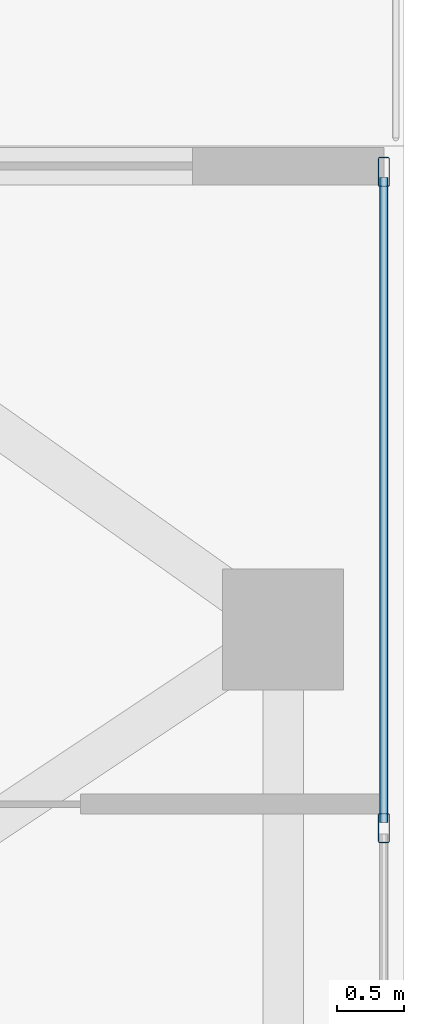
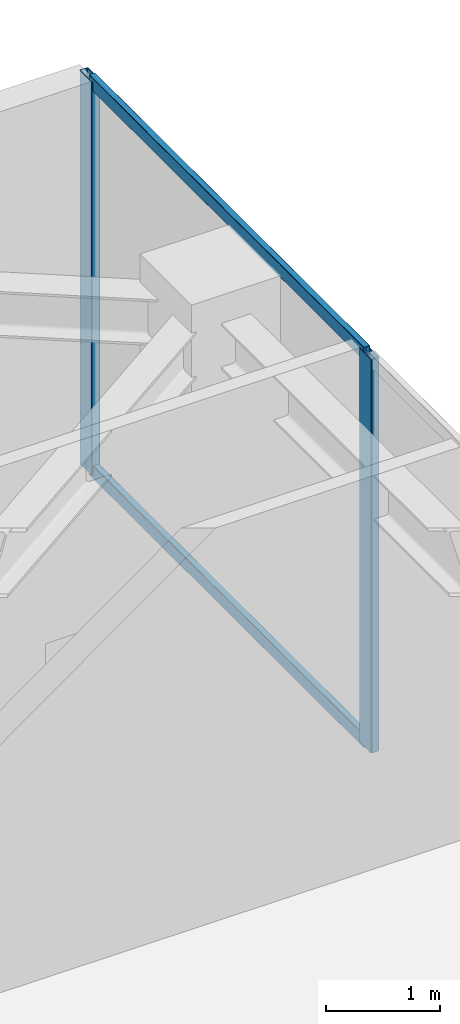
# One storey, part 21 of 33: 4 members, 1 element without a shape of its own.
"""IFC4 building model written with IfcOpenShell, lengths in metres."""

from ifc_helpers import new_model, si_unit, direction, frame, origin, origin_2d, place, context, subcontext, project, spatial, hollow_rectangle, extrude, material, layer, layer_set, material_profile, profile_set, type_object, element, aggregate, save


model = new_model("IFC4")

# Units and contexts
model_context = context("Model", 3, precision=1e-05, world=origin(), true_north=direction((0.0, 1.0)))
body_context = subcontext(model_context, "Body", "Model", "MODEL_VIEW")
ifc_project = project(units=[si_unit("LENGTHUNIT", "METRE"), si_unit("AREAUNIT", "SQUARE_METRE"), si_unit("VOLUMEUNIT", "CUBIC_METRE"), si_unit("PLANEANGLEUNIT", "RADIAN"), si_unit("MASSUNIT", "GRAM", prefix="KILO")], contexts=[model_context])

# Site, building, storey
site_placement = place(None, origin())
site = spatial("IfcSite", under=ifc_project, at=site_placement, CompositionType="ELEMENT")
building_placement = place(site_placement, origin())
building = spatial("IfcBuilding", under=site, at=building_placement, Name="Tarnavaz Court Tower", CompositionType="ELEMENT")
storey_placement = place(building_placement, frame((0.0, 0.0, 177.300048828125)))
storey = spatial("IfcBuildingStorey", under=building, at=storey_placement, Name="L48", CompositionType="ELEMENT", Elevation=177.300048828125)

# Curtain wall, members
ifc_material_1 = material(Name="Anodised Aluminium 6063-T6 and Solar Low-E Glazing", Category="aluminium")
ifc_layer = layer(ifc_material_1, 0.199951171875)
ifc_layer_set = layer_set([ifc_layer], Name="Anodised Aluminium 6063-T6 and Solar Low-E Glazing")
curtain_wall_type = type_object("IfcCurtainWallType", Name="CW-SYS-05", PredefinedType="NOTDEFINED", material=ifc_layer_set)
curtain_wall_placement = place(storey_placement, origin())
curtain_wall = element("IfcCurtainWall", 1, at=curtain_wall_placement, inside=storey, type_object=curtain_wall_type, Name="L48 Sky-Portal Curtain Wall 12", PredefinedType="NOTDEFINED")
ifc_material_2 = material(Name="Anodised Aluminium 6063-T6", Category="aluminium")
ifc_material_profile_1 = material_profile(ifc_material_2, hollow_rectangle(XDim=0.0849609375, YDim=0.219970703125, WallThickness=0.006103515625, InnerFilletRadius=0.006103515625, OuterFilletRadius=0.011962890625, at=origin_2d()), Name="ALU RHS 220X85X6")
ifc_profile_set_1 = profile_set([ifc_material_profile_1], Name="Anodised Aluminium 6063-T6")
member_type_1 = type_object("IfcMemberType", Name="CW-MUL-220", PredefinedType="MULLION", material=ifc_profile_set_1)
member_1_placement = place(storey_placement, frame((25.050048828125, 17.20751953125, 0.0), z_axis=(0.0, 0.0, 1.0), x_axis=(1.0, 0.0, 0.0)))
member_1 = element("IfcMember", 2, at=member_1_placement, type_object=member_type_1, Name="CW mullion 1", PredefinedType="MULLION", context=body_context, shape_type="SweptSolid", body=[
    extrude(hollow_rectangle(XDim=0.0849609375, YDim=0.219970703125, WallThickness=0.006103515625, InnerFilletRadius=0.006103515625, OuterFilletRadius=0.011962890625, at=origin_2d()), origin(), (0.0, 0.0, 1.0), 4.199951171875),
])
member_2_placement = place(storey_placement, frame((25.050048828125, 12.321533203125, 0.0), z_axis=(0.0, 0.0, 1.0), x_axis=(1.0, 0.0, 0.0)))
member_2 = element("IfcMember", 3, at=member_2_placement, type_object=member_type_1, Name="CW mullion 2", PredefinedType="MULLION", context=body_context, shape_type="SweptSolid", body=[
    extrude(hollow_rectangle(XDim=0.0849609375, YDim=0.219970703125, WallThickness=0.006103515625, InnerFilletRadius=0.006103515625, OuterFilletRadius=0.011962890625, at=origin_2d()), origin(), (0.0, 0.0, 1.0), 4.199951171875),
])
ifc_material_profile_2 = material_profile(ifc_material_2, hollow_rectangle(XDim=0.06494140625, YDim=0.139892578125, WallThickness=0.00390625, InnerFilletRadius=0.00390625, OuterFilletRadius=0.008056640625, at=origin_2d()), Name="ALU RHS 140X65X4")
ifc_profile_set_2 = profile_set([ifc_material_profile_2], Name="Anodised Aluminium 6063-T6")
member_type_2 = type_object("IfcMemberType", Name="CW-TRN-140", PredefinedType="USERDEFINED", material=ifc_profile_set_2)
member_3_placement = place(storey_placement, frame((25.050048828125, 17.1650390625, 0.032470703125), z_axis=(0.0, -1.0, 0.0), x_axis=(1.0, 0.0, 0.0)))
member_3 = element("IfcMember", 4, at=member_3_placement, type_object=member_type_2, Name="CW transom 1.1", ObjectType="TRANSOM", PredefinedType="USERDEFINED", context=body_context, shape_type="SweptSolid", body=[
    extrude(hollow_rectangle(XDim=0.06494140625, YDim=0.139892578125, WallThickness=0.00390625, InnerFilletRadius=0.00390625, OuterFilletRadius=0.008056640625, at=origin_2d()), origin(), (0.0, 0.0, 1.0), 4.801025390625),
])
member_4_placement = place(storey_placement, frame((25.050048828125, 17.1650390625, 4.16748046875), z_axis=(0.0, -1.0, 0.0), x_axis=(1.0, 0.0, 0.0)))
member_4 = element("IfcMember", 5, at=member_4_placement, type_object=member_type_2, Name="CW transom 1.2", ObjectType="TRANSOM", PredefinedType="USERDEFINED", context=body_context, shape_type="SweptSolid", body=[
    extrude(hollow_rectangle(XDim=0.06494140625, YDim=0.139892578125, WallThickness=0.00390625, InnerFilletRadius=0.00390625, OuterFilletRadius=0.008056640625, at=origin_2d()), origin(), (0.0, 0.0, 1.0), 4.801025390625),
])
aggregate(curtain_wall, [member_1, member_2, member_3, member_4])

save(model, "model.ifc")
